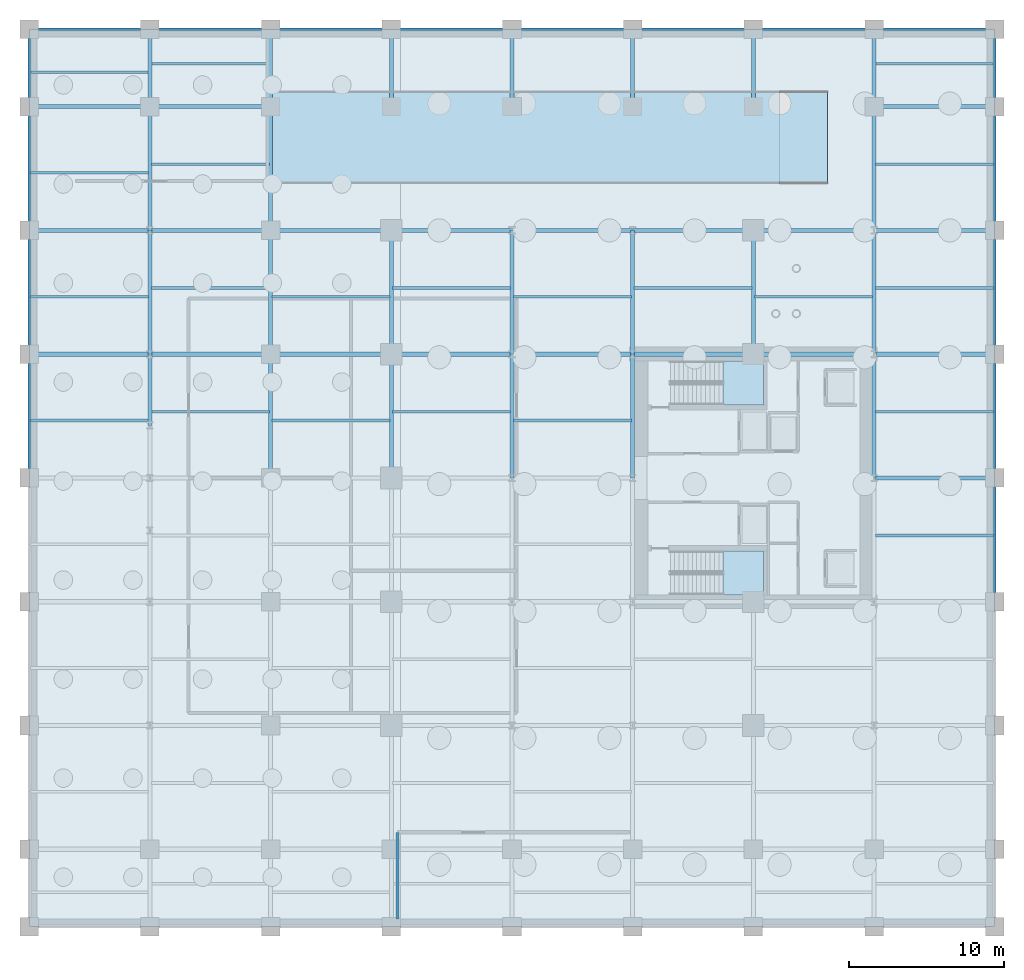
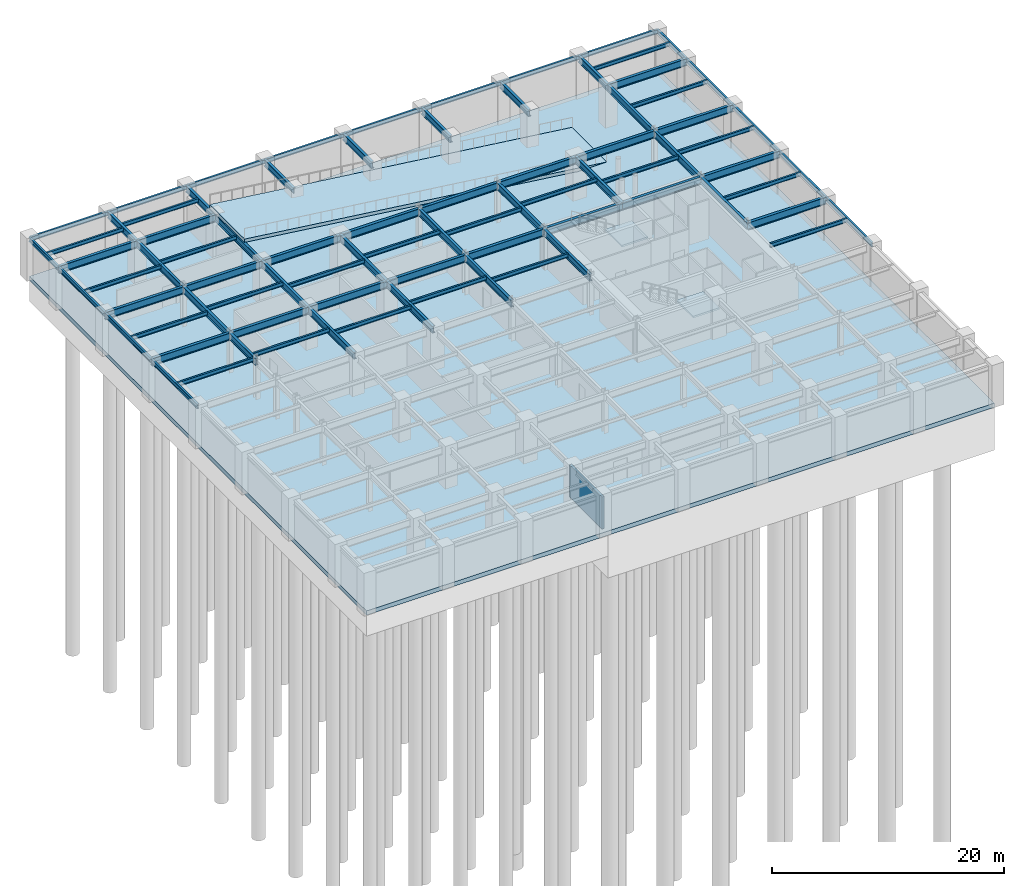
# One storey, part 4 of 10: 81 beams, 4 slabs, 1 wall, 2 elements without a shape of their own.
"""IFC4 building model written with IfcOpenShell, lengths in metres."""

from ifc_helpers import new_model, si_unit, direction, frame, frame_2d, origin, origin_2d, place, context, subcontext, project, spatial, polyline, rectangle, i_section, outline, extrude, material, layer, layer_set, material_profile, profile_set, type_object, element, aggregate, save


model = new_model("IFC4")

# Units and contexts
model_context = context("Model", 3, precision=1e-05, world=origin(), true_north=direction((0.0, 1.0)))
body_context = subcontext(model_context, "Body", "Model", "MODEL_VIEW")
ifc_project = project(units=[si_unit("LENGTHUNIT", "METRE"), si_unit("AREAUNIT", "SQUARE_METRE"), si_unit("VOLUMEUNIT", "CUBIC_METRE"), si_unit("PLANEANGLEUNIT", "RADIAN"), si_unit("MASSUNIT", "GRAM", prefix="KILO")], contexts=[model_context])

# Site, building, storey
site_placement = place(None, origin())
site = spatial("IfcSite", under=ifc_project, at=site_placement, CompositionType="ELEMENT")
building_placement = place(site_placement, origin())
building = spatial("IfcBuilding", under=site, at=building_placement, Name="Veymaron Broadcast Tower", CompositionType="ELEMENT")
storey_placement = place(building_placement, frame((0.0, 0.0, -9.0)))
storey = spatial("IfcBuildingStorey", under=building, at=storey_placement, Name="B2", CompositionType="ELEMENT", Elevation=-9.0)

# Beams
ifc_material_1 = material(Name="Structural steel ASTM A992 Gr 50", Category="steel")
ifc_material_profile_1 = material_profile(ifc_material_1, i_section(OverallWidth=0.177978515625, OverallDepth=0.406982421875, WebThickness=0.0078125, FlangeThickness=0.0126953125, at=origin_2d()), Name="W410X60")
ifc_profile_set_1 = profile_set([ifc_material_profile_1], Name="Structural steel ASTM A992 Gr 50")
beam_type_1 = type_object("IfcBeamType", Name="BM-JS1", PredefinedType="JOIST", material=ifc_profile_set_1)
for number, where, z_axis, x_axis, name in (
    (1, (0.0849609375, 27.719970703125, 3.946533203125), (1.0, 0.0, 0.0), (0.0, 1.0, 0.0), "B2 podium secondary floor joist"),
    (2, (0.0849609375, 35.719970703125, 3.946533203125), (1.0, 0.0, 0.0), (0.0, 1.0, 0.0), "B2 podium secondary floor joist"),
    (3, (0.0849609375, 43.719970703125, 3.946533203125), (1.0, 0.0, 0.0), (0.0, 1.0, 0.0), "B2 podium secondary floor joist"),
    (4, (0.0849609375, 50.219970703125, 3.946533203125), (1.0, 0.0, 0.0), (0.0, 1.0, 0.0), "B2 podium secondary floor joist"),
):
    element("IfcBeam", number, at=place(storey_placement, frame(where, z_axis=z_axis, x_axis=x_axis)), inside=storey, type_object=beam_type_1, Name=name, PredefinedType="JOIST", context=body_context, shape_type="SweptSolid", body=[
        extrude(i_section(OverallWidth=0.177978515625, OverallDepth=0.406982421875, WebThickness=0.0078125, FlangeThickness=0.0126953125, at=origin_2d()), origin(), (0.0, 0.0, 1.0), 7.630126953125),
    ])
for number, where, z_axis, x_axis, name in (
    (5, (7.885009765625, 28.280029296875, 3.946533203125), (1.0, 0.0, 0.0), (0.0, 1.0, 0.0), "B2 podium secondary floor joist"),
    (6, (7.885009765625, 36.280029296875, 3.946533203125), (1.0, 0.0, 0.0), (0.0, 1.0, 0.0), "B2 podium secondary floor joist"),
    (7, (7.885009765625, 44.280029296875, 3.946533203125), (1.0, 0.0, 0.0), (0.0, 1.0, 0.0), "B2 podium secondary floor joist"),
    (8, (7.885009765625, 50.780029296875, 3.946533203125), (1.0, 0.0, 0.0), (0.0, 1.0, 0.0), "B2 podium secondary floor joist"),
    (9, (15.68505859375, 27.719970703125, 3.946533203125), (1.0, 0.0, 0.0), (0.0, 1.0, 0.0), "B2 podium secondary floor joist"),
    (10, (15.68505859375, 35.719970703125, 3.946533203125), (1.0, 0.0, 0.0), (0.0, 1.0, 0.0), "B2 podium secondary floor joist"),
    (11, (23.485107421875, 28.280029296875, 3.946533203125), (1.0, 0.0, 0.0), (0.0, 1.0, 0.0), "B2 podium secondary floor joist"),
    (12, (23.485107421875, 36.280029296875, 3.946533203125), (1.0, 0.0, 0.0), (0.0, 1.0, 0.0), "B2 podium secondary floor joist"),
):
    element("IfcBeam", number, at=place(storey_placement, frame(where, z_axis=z_axis, x_axis=x_axis)), inside=storey, type_object=beam_type_1, Name=name, PredefinedType="JOIST", context=body_context, shape_type="SweptSolid", body=[
        extrude(i_section(OverallWidth=0.177978515625, OverallDepth=0.406982421875, WebThickness=0.0078125, FlangeThickness=0.0126953125, at=origin_2d()), origin(), (0.0, 0.0, 1.0), 7.6298828125),
    ])
for number, where, z_axis, x_axis, name in (
    (13, (31.284912109375, 27.719970703125, 3.946533203125), (1.0, 0.0, 0.0), (0.0, 1.0, 0.0), "B2 podium secondary floor joist"),
    (14, (31.284912109375, 35.719970703125, 3.946533203125), (1.0, 0.0, 0.0), (0.0, 1.0, 0.0), "B2 podium secondary floor joist"),
    (15, (39.0849609375, 36.280029296875, 3.946533203125), (1.0, 0.0, 0.0), (0.0, 1.0, 0.0), "B2 podium secondary floor joist"),
):
    element("IfcBeam", number, at=place(storey_placement, frame(where, z_axis=z_axis, x_axis=x_axis)), inside=storey, type_object=beam_type_1, Name=name, PredefinedType="JOIST", context=body_context, shape_type="SweptSolid", body=[
        extrude(i_section(OverallWidth=0.177978515625, OverallDepth=0.406982421875, WebThickness=0.0078125, FlangeThickness=0.0126953125, at=origin_2d()), origin(), (0.0, 0.0, 1.0), 7.630126953125),
    ])
for number, where, z_axis, x_axis, name in (
    (16, (46.885009765625, 35.719970703125, 3.946533203125), (1.0, 0.0, 0.0), (0.0, 1.0, 0.0), "B2 podium secondary floor joist"),
    (17, (54.68505859375, 20.280029296875, 3.946533203125), (1.0, 0.0, 0.0), (0.0, 1.0, 0.0), "B2 podium secondary floor joist"),
    (18, (54.68505859375, 28.280029296875, 3.946533203125), (1.0, 0.0, 0.0), (0.0, 1.0, 0.0), "B2 podium secondary floor joist"),
    (19, (54.68505859375, 36.280029296875, 3.946533203125), (1.0, 0.0, 0.0), (0.0, 1.0, 0.0), "B2 podium secondary floor joist"),
    (20, (54.68505859375, 44.280029296875, 3.946533203125), (1.0, 0.0, 0.0), (0.0, 1.0, 0.0), "B2 podium secondary floor joist"),
    (21, (54.68505859375, 50.780029296875, 3.946533203125), (1.0, 0.0, 0.0), (0.0, 1.0, 0.0), "B2 podium secondary floor joist"),
):
    element("IfcBeam", number, at=place(storey_placement, frame(where, z_axis=z_axis, x_axis=x_axis)), inside=storey, type_object=beam_type_1, Name=name, PredefinedType="JOIST", context=body_context, shape_type="SweptSolid", body=[
        extrude(i_section(OverallWidth=0.177978515625, OverallDepth=0.406982421875, WebThickness=0.0078125, FlangeThickness=0.0126953125, at=origin_2d()), origin(), (0.0, 0.0, 1.0), 7.6298828125),
    ])
ifc_material_profile_2 = material_profile(ifc_material_1, i_section(OverallWidth=0.26806640625, OverallDepth=0.77001953125, WebThickness=0.015625, FlangeThickness=0.025390625, at=origin_2d()), Name="W760X196")
ifc_profile_set_2 = profile_set([ifc_material_profile_2], Name="Structural steel ASTM A992 Gr 50")
beam_type_2 = type_object("IfcBeamType", Name="BM-PG1", PredefinedType="BEAM", material=ifc_profile_set_2)
beam_1_placement = place(storey_placement, frame((54.60009765625, 24.0, 3.764892578125), z_axis=(1.0, 0.0, 0.0), x_axis=(0.0, 1.0, 0.0)))
element("IfcBeam", 22, at=beam_1_placement, inside=storey, type_object=beam_type_2, Name="B2 podium primary X-girder", PredefinedType="BEAM", context=body_context, shape_type="SweptSolid", body=[
    extrude(i_section(OverallWidth=0.26806640625, OverallDepth=0.77001953125, WebThickness=0.015625, FlangeThickness=0.025390625, at=origin_2d()), origin(), (0.0, 0.0, 1.0), 7.7998046875),
])
for number, where, z_axis, x_axis, name in (
    (23, (0.0, 32.0, 3.764892578125), (1.0, 0.0, 0.0), (0.0, 1.0, 0.0), "B2 podium primary X-girder"),
    (24, (7.800048828125, 32.0, 3.764892578125), (1.0, 0.0, 0.0), (0.0, 1.0, 0.0), "B2 podium primary X-girder"),
):
    element("IfcBeam", number, at=place(storey_placement, frame(where, z_axis=z_axis, x_axis=x_axis)), inside=storey, type_object=beam_type_2, Name=name, PredefinedType="BEAM", context=body_context, shape_type="SweptSolid", body=[
        extrude(i_section(OverallWidth=0.26806640625, OverallDepth=0.77001953125, WebThickness=0.015625, FlangeThickness=0.025390625, at=origin_2d()), origin(), (0.0, 0.0, 1.0), 7.800048828125),
    ])
beam_2_placement = place(storey_placement, frame((15.60009765625, 32.0, 3.764892578125), z_axis=(1.0, 0.0, 0.0), x_axis=(0.0, 1.0, 0.0)))
element("IfcBeam", 25, at=beam_2_placement, inside=storey, type_object=beam_type_2, Name="B2 podium primary X-girder", PredefinedType="BEAM", context=body_context, shape_type="SweptSolid", body=[
    extrude(i_section(OverallWidth=0.26806640625, OverallDepth=0.77001953125, WebThickness=0.015625, FlangeThickness=0.025390625, at=origin_2d()), origin(), (0.0, 0.0, 1.0), 7.7998046875),
])
for number, where, z_axis, x_axis, name in (
    (26, (23.39990234375, 32.0, 3.764892578125), (1.0, 0.0, 0.0), (0.0, 1.0, 0.0), "B2 podium primary X-girder"),
    (27, (31.199951171875, 32.0, 3.764892578125), (1.0, 0.0, 0.0), (0.0, 1.0, 0.0), "B2 podium primary X-girder"),
    (28, (39.0, 32.0, 3.764892578125), (1.0, 0.0, 0.0), (0.0, 1.0, 0.0), "B2 podium primary X-girder"),
    (29, (46.800048828125, 32.0, 3.764892578125), (1.0, 0.0, 0.0), (0.0, 1.0, 0.0), "B2 podium primary X-girder"),
):
    element("IfcBeam", number, at=place(storey_placement, frame(where, z_axis=z_axis, x_axis=x_axis)), inside=storey, type_object=beam_type_2, Name=name, PredefinedType="BEAM", context=body_context, shape_type="SweptSolid", body=[
        extrude(i_section(OverallWidth=0.26806640625, OverallDepth=0.77001953125, WebThickness=0.015625, FlangeThickness=0.025390625, at=origin_2d()), origin(), (0.0, 0.0, 1.0), 7.800048828125),
    ])
beam_3_placement = place(storey_placement, frame((54.60009765625, 32.0, 3.764892578125), z_axis=(1.0, 0.0, 0.0), x_axis=(0.0, 1.0, 0.0)))
element("IfcBeam", 30, at=beam_3_placement, inside=storey, type_object=beam_type_2, Name="B2 podium primary X-girder", PredefinedType="BEAM", context=body_context, shape_type="SweptSolid", body=[
    extrude(i_section(OverallWidth=0.26806640625, OverallDepth=0.77001953125, WebThickness=0.015625, FlangeThickness=0.025390625, at=origin_2d()), origin(), (0.0, 0.0, 1.0), 7.7998046875),
])
for number, where, z_axis, x_axis, name in (
    (31, (0.0, 40.0, 3.764892578125), (1.0, 0.0, 0.0), (0.0, 1.0, 0.0), "B2 podium primary X-girder"),
    (32, (7.800048828125, 40.0, 3.764892578125), (1.0, 0.0, 0.0), (0.0, 1.0, 0.0), "B2 podium primary X-girder"),
):
    element("IfcBeam", number, at=place(storey_placement, frame(where, z_axis=z_axis, x_axis=x_axis)), inside=storey, type_object=beam_type_2, Name=name, PredefinedType="BEAM", context=body_context, shape_type="SweptSolid", body=[
        extrude(i_section(OverallWidth=0.26806640625, OverallDepth=0.77001953125, WebThickness=0.015625, FlangeThickness=0.025390625, at=origin_2d()), origin(), (0.0, 0.0, 1.0), 7.800048828125),
    ])
beam_4_placement = place(storey_placement, frame((15.60009765625, 40.0, 3.764892578125), z_axis=(1.0, 0.0, 0.0), x_axis=(0.0, 1.0, 0.0)))
element("IfcBeam", 33, at=beam_4_placement, inside=storey, type_object=beam_type_2, Name="B2 podium primary X-girder", PredefinedType="BEAM", context=body_context, shape_type="SweptSolid", body=[
    extrude(i_section(OverallWidth=0.26806640625, OverallDepth=0.77001953125, WebThickness=0.015625, FlangeThickness=0.025390625, at=origin_2d()), origin(), (0.0, 0.0, 1.0), 7.7998046875),
])
for number, where, z_axis, x_axis, name in (
    (34, (23.39990234375, 40.0, 3.764892578125), (1.0, 0.0, 0.0), (0.0, 1.0, 0.0), "B2 podium primary X-girder"),
    (35, (31.199951171875, 40.0, 3.764892578125), (1.0, 0.0, 0.0), (0.0, 1.0, 0.0), "B2 podium primary X-girder"),
    (36, (39.0, 40.0, 3.764892578125), (1.0, 0.0, 0.0), (0.0, 1.0, 0.0), "B2 podium primary X-girder"),
    (37, (46.800048828125, 40.0, 3.764892578125), (1.0, 0.0, 0.0), (0.0, 1.0, 0.0), "B2 podium primary X-girder"),
):
    element("IfcBeam", number, at=place(storey_placement, frame(where, z_axis=z_axis, x_axis=x_axis)), inside=storey, type_object=beam_type_2, Name=name, PredefinedType="BEAM", context=body_context, shape_type="SweptSolid", body=[
        extrude(i_section(OverallWidth=0.26806640625, OverallDepth=0.77001953125, WebThickness=0.015625, FlangeThickness=0.025390625, at=origin_2d()), origin(), (0.0, 0.0, 1.0), 7.800048828125),
    ])
beam_5_placement = place(storey_placement, frame((54.60009765625, 40.0, 3.764892578125), z_axis=(1.0, 0.0, 0.0), x_axis=(0.0, 1.0, 0.0)))
element("IfcBeam", 38, at=beam_5_placement, inside=storey, type_object=beam_type_2, Name="B2 podium primary X-girder", PredefinedType="BEAM", context=body_context, shape_type="SweptSolid", body=[
    extrude(i_section(OverallWidth=0.26806640625, OverallDepth=0.77001953125, WebThickness=0.015625, FlangeThickness=0.025390625, at=origin_2d()), origin(), (0.0, 0.0, 1.0), 7.7998046875),
])
for number, where, z_axis, x_axis, name in (
    (39, (0.0, 48.0, 3.764892578125), (1.0, 0.0, 0.0), (0.0, 1.0, 0.0), "B2 podium primary X-girder"),
    (40, (7.800048828125, 48.0, 3.764892578125), (1.0, 0.0, 0.0), (0.0, 1.0, 0.0), "B2 podium primary X-girder"),
):
    element("IfcBeam", number, at=place(storey_placement, frame(where, z_axis=z_axis, x_axis=x_axis)), inside=storey, type_object=beam_type_2, Name=name, PredefinedType="BEAM", context=body_context, shape_type="SweptSolid", body=[
        extrude(i_section(OverallWidth=0.26806640625, OverallDepth=0.77001953125, WebThickness=0.015625, FlangeThickness=0.025390625, at=origin_2d()), origin(), (0.0, 0.0, 1.0), 7.800048828125),
    ])
beam_6_placement = place(storey_placement, frame((54.60009765625, 48.0, 3.764892578125), z_axis=(1.0, 0.0, 0.0), x_axis=(0.0, 1.0, 0.0)))
element("IfcBeam", 41, at=beam_6_placement, inside=storey, type_object=beam_type_2, Name="B2 podium primary X-girder", PredefinedType="BEAM", context=body_context, shape_type="SweptSolid", body=[
    extrude(i_section(OverallWidth=0.26806640625, OverallDepth=0.77001953125, WebThickness=0.015625, FlangeThickness=0.025390625, at=origin_2d()), origin(), (0.0, 0.0, 1.0), 7.7998046875),
])
ifc_material_profile_3 = material_profile(ifc_material_1, i_section(OverallWidth=0.256103515625, OverallDepth=0.693115234375, WebThickness=0.014404296875, FlangeThickness=0.023681640625, at=origin_2d()), Name="W690X170")
ifc_profile_set_3 = profile_set([ifc_material_profile_3], Name="Structural steel ASTM A992 Gr 50")
beam_type_3 = type_object("IfcBeamType", Name="BM-PG2", PredefinedType="BEAM", material=ifc_profile_set_3)
beam_7_placement = place(storey_placement, frame((7.800048828125, 27.39990234375, 3.803466796875), z_axis=(0.0, 1.0, 0.0), x_axis=(-1.0, 0.0, 0.0)))
element("IfcBeam", 42, at=beam_7_placement, inside=storey, type_object=beam_type_3, Name="B2 podium primary Y-girder", PredefinedType="BEAM", context=body_context, shape_type="SweptSolid", body=[
    extrude(i_section(OverallWidth=0.256103515625, OverallDepth=0.693115234375, WebThickness=0.014404296875, FlangeThickness=0.023681640625, at=origin_2d()), origin(), (0.0, 0.0, 1.0), 4.60009765625),
])
for number, where, z_axis, x_axis, name in (
    (43, (7.800048828125, 32.0, 3.803466796875), (0.0, 1.0, 0.0), (-1.0, 0.0, 0.0), "B2 podium primary Y-girder"),
    (44, (7.800048828125, 40.0, 3.803466796875), (0.0, 1.0, 0.0), (-1.0, 0.0, 0.0), "B2 podium primary Y-girder"),
):
    element("IfcBeam", number, at=place(storey_placement, frame(where, z_axis=z_axis, x_axis=x_axis)), inside=storey, type_object=beam_type_3, Name=name, PredefinedType="BEAM", context=body_context, shape_type="SweptSolid", body=[
        extrude(i_section(OverallWidth=0.256103515625, OverallDepth=0.693115234375, WebThickness=0.014404296875, FlangeThickness=0.023681640625, at=origin_2d()), origin(), (0.0, 0.0, 1.0), 8.0),
    ])
beam_8_placement = place(storey_placement, frame((7.800048828125, 48.0, 3.803466796875), z_axis=(0.0, 1.0, 0.0), x_axis=(-1.0, 0.0, 0.0)))
element("IfcBeam", 45, at=beam_8_placement, inside=storey, type_object=beam_type_3, Name="B2 podium primary Y-girder", PredefinedType="BEAM", context=body_context, shape_type="SweptSolid", body=[
    extrude(i_section(OverallWidth=0.256103515625, OverallDepth=0.693115234375, WebThickness=0.014404296875, FlangeThickness=0.023681640625, at=origin_2d()), origin(), (0.0, 0.0, 1.0), 5.0),
])
for number, where, z_axis, x_axis, name in (
    (46, (15.60009765625, 24.0, 3.803466796875), (0.0, 1.0, 0.0), (-1.0, 0.0, 0.0), "B2 podium primary Y-girder"),
    (47, (15.60009765625, 32.0, 3.803466796875), (0.0, 1.0, 0.0), (-1.0, 0.0, 0.0), "B2 podium primary Y-girder"),
    (48, (15.60009765625, 40.0, 3.803466796875), (0.0, 1.0, 0.0), (-1.0, 0.0, 0.0), "B2 podium primary Y-girder"),
):
    element("IfcBeam", number, at=place(storey_placement, frame(where, z_axis=z_axis, x_axis=x_axis)), inside=storey, type_object=beam_type_3, Name=name, PredefinedType="BEAM", context=body_context, shape_type="SweptSolid", body=[
        extrude(i_section(OverallWidth=0.256103515625, OverallDepth=0.693115234375, WebThickness=0.014404296875, FlangeThickness=0.023681640625, at=origin_2d()), origin(), (0.0, 0.0, 1.0), 8.0),
    ])
beam_9_placement = place(storey_placement, frame((15.60009765625, 48.0, 3.803466796875), z_axis=(0.0, 1.0, 0.0), x_axis=(-1.0, 0.0, 0.0)))
element("IfcBeam", 49, at=beam_9_placement, inside=storey, type_object=beam_type_3, Name="B2 podium primary Y-girder", PredefinedType="BEAM", context=body_context, shape_type="SweptSolid", body=[
    extrude(i_section(OverallWidth=0.256103515625, OverallDepth=0.693115234375, WebThickness=0.014404296875, FlangeThickness=0.023681640625, at=origin_2d()), origin(), (0.0, 0.0, 1.0), 5.0),
])
for number, where, z_axis, x_axis, name in (
    (50, (23.39990234375, 24.0, 3.803466796875), (0.0, 1.0, 0.0), (-1.0, 0.0, 0.0), "B2 podium primary Y-girder"),
    (51, (23.39990234375, 32.0, 3.803466796875), (0.0, 1.0, 0.0), (-1.0, 0.0, 0.0), "B2 podium primary Y-girder"),
):
    element("IfcBeam", number, at=place(storey_placement, frame(where, z_axis=z_axis, x_axis=x_axis)), inside=storey, type_object=beam_type_3, Name=name, PredefinedType="BEAM", context=body_context, shape_type="SweptSolid", body=[
        extrude(i_section(OverallWidth=0.256103515625, OverallDepth=0.693115234375, WebThickness=0.014404296875, FlangeThickness=0.023681640625, at=origin_2d()), origin(), (0.0, 0.0, 1.0), 8.0),
    ])
beam_10_placement = place(storey_placement, frame((23.39990234375, 48.0, 3.803466796875), z_axis=(0.0, 1.0, 0.0), x_axis=(-1.0, 0.0, 0.0)))
element("IfcBeam", 52, at=beam_10_placement, inside=storey, type_object=beam_type_3, Name="B2 podium primary Y-girder", PredefinedType="BEAM", context=body_context, shape_type="SweptSolid", body=[
    extrude(i_section(OverallWidth=0.256103515625, OverallDepth=0.693115234375, WebThickness=0.014404296875, FlangeThickness=0.023681640625, at=origin_2d()), origin(), (0.0, 0.0, 1.0), 5.0),
])
for number, where, z_axis, x_axis, name in (
    (53, (31.199951171875, 24.0, 3.803466796875), (0.0, 1.0, 0.0), (-1.0, 0.0, 0.0), "B2 podium primary Y-girder"),
    (54, (31.199951171875, 32.0, 3.803466796875), (0.0, 1.0, 0.0), (-1.0, 0.0, 0.0), "B2 podium primary Y-girder"),
):
    element("IfcBeam", number, at=place(storey_placement, frame(where, z_axis=z_axis, x_axis=x_axis)), inside=storey, type_object=beam_type_3, Name=name, PredefinedType="BEAM", context=body_context, shape_type="SweptSolid", body=[
        extrude(i_section(OverallWidth=0.256103515625, OverallDepth=0.693115234375, WebThickness=0.014404296875, FlangeThickness=0.023681640625, at=origin_2d()), origin(), (0.0, 0.0, 1.0), 8.0),
    ])
beam_11_placement = place(storey_placement, frame((31.199951171875, 48.0, 3.803466796875), z_axis=(0.0, 1.0, 0.0), x_axis=(-1.0, 0.0, 0.0)))
element("IfcBeam", 55, at=beam_11_placement, inside=storey, type_object=beam_type_3, Name="B2 podium primary Y-girder", PredefinedType="BEAM", context=body_context, shape_type="SweptSolid", body=[
    extrude(i_section(OverallWidth=0.256103515625, OverallDepth=0.693115234375, WebThickness=0.014404296875, FlangeThickness=0.023681640625, at=origin_2d()), origin(), (0.0, 0.0, 1.0), 5.0),
])
for number, where, z_axis, x_axis, name in (
    (56, (39.0, 24.0, 3.803466796875), (0.0, 1.0, 0.0), (-1.0, 0.0, 0.0), "B2 podium primary Y-girder"),
    (57, (39.0, 32.0, 3.803466796875), (0.0, 1.0, 0.0), (-1.0, 0.0, 0.0), "B2 podium primary Y-girder"),
):
    element("IfcBeam", number, at=place(storey_placement, frame(where, z_axis=z_axis, x_axis=x_axis)), inside=storey, type_object=beam_type_3, Name=name, PredefinedType="BEAM", context=body_context, shape_type="SweptSolid", body=[
        extrude(i_section(OverallWidth=0.256103515625, OverallDepth=0.693115234375, WebThickness=0.014404296875, FlangeThickness=0.023681640625, at=origin_2d()), origin(), (0.0, 0.0, 1.0), 8.0),
    ])
beam_12_placement = place(storey_placement, frame((39.0, 48.0, 3.803466796875), z_axis=(0.0, 1.0, 0.0), x_axis=(-1.0, 0.0, 0.0)))
element("IfcBeam", 58, at=beam_12_placement, inside=storey, type_object=beam_type_3, Name="B2 podium primary Y-girder", PredefinedType="BEAM", context=body_context, shape_type="SweptSolid", body=[
    extrude(i_section(OverallWidth=0.256103515625, OverallDepth=0.693115234375, WebThickness=0.014404296875, FlangeThickness=0.023681640625, at=origin_2d()), origin(), (0.0, 0.0, 1.0), 5.0),
])
beam_13_placement = place(storey_placement, frame((46.800048828125, 32.0, 3.803466796875), z_axis=(0.0, 1.0, 0.0), x_axis=(-1.0, 0.0, 0.0)))
element("IfcBeam", 59, at=beam_13_placement, inside=storey, type_object=beam_type_3, Name="B2 podium primary Y-girder", PredefinedType="BEAM", context=body_context, shape_type="SweptSolid", body=[
    extrude(i_section(OverallWidth=0.256103515625, OverallDepth=0.693115234375, WebThickness=0.014404296875, FlangeThickness=0.023681640625, at=origin_2d()), origin(), (0.0, 0.0, 1.0), 8.0),
])
beam_14_placement = place(storey_placement, frame((46.800048828125, 48.0, 3.803466796875), z_axis=(0.0, 1.0, 0.0), x_axis=(-1.0, 0.0, 0.0)))
element("IfcBeam", 60, at=beam_14_placement, inside=storey, type_object=beam_type_3, Name="B2 podium primary Y-girder", PredefinedType="BEAM", context=body_context, shape_type="SweptSolid", body=[
    extrude(i_section(OverallWidth=0.256103515625, OverallDepth=0.693115234375, WebThickness=0.014404296875, FlangeThickness=0.023681640625, at=origin_2d()), origin(), (0.0, 0.0, 1.0), 5.0),
])
for number, where, z_axis, x_axis, name in (
    (61, (54.60009765625, 24.0, 3.803466796875), (0.0, 1.0, 0.0), (-1.0, 0.0, 0.0), "B2 podium primary Y-girder"),
    (62, (54.60009765625, 32.0, 3.803466796875), (0.0, 1.0, 0.0), (-1.0, 0.0, 0.0), "B2 podium primary Y-girder"),
    (63, (54.60009765625, 40.0, 3.803466796875), (0.0, 1.0, 0.0), (-1.0, 0.0, 0.0), "B2 podium primary Y-girder"),
):
    element("IfcBeam", number, at=place(storey_placement, frame(where, z_axis=z_axis, x_axis=x_axis)), inside=storey, type_object=beam_type_3, Name=name, PredefinedType="BEAM", context=body_context, shape_type="SweptSolid", body=[
        extrude(i_section(OverallWidth=0.256103515625, OverallDepth=0.693115234375, WebThickness=0.014404296875, FlangeThickness=0.023681640625, at=origin_2d()), origin(), (0.0, 0.0, 1.0), 8.0),
    ])
beam_15_placement = place(storey_placement, frame((54.60009765625, 48.0, 3.803466796875), z_axis=(0.0, 1.0, 0.0), x_axis=(-1.0, 0.0, 0.0)))
element("IfcBeam", 64, at=beam_15_placement, inside=storey, type_object=beam_type_3, Name="B2 podium primary Y-girder", PredefinedType="BEAM", context=body_context, shape_type="SweptSolid", body=[
    extrude(i_section(OverallWidth=0.256103515625, OverallDepth=0.693115234375, WebThickness=0.014404296875, FlangeThickness=0.023681640625, at=origin_2d()), origin(), (0.0, 0.0, 1.0), 5.0),
])
ifc_material_profile_4 = material_profile(ifc_material_1, i_section(OverallWidth=0.19091796875, OverallDepth=0.4599609375, WebThickness=0.010009765625, FlangeThickness=0.01611328125, at=origin_2d()), Name="W460X82")
ifc_profile_set_4 = profile_set([ifc_material_profile_4], Name="Structural steel ASTM A992 Gr 50")
beam_type_4 = type_object("IfcBeamType", Name="BM-SP1", PredefinedType="SPANDREL", material=ifc_profile_set_4)
for number, where, z_axis, x_axis, name in (
    (65, (0.0, 53.0, 3.919921875), (1.0, 0.0, 0.0), (0.0, 1.0, 0.0), "B2 podium primary X-girder"),
    (66, (7.800048828125, 53.0, 3.919921875), (1.0, 0.0, 0.0), (0.0, 1.0, 0.0), "B2 podium primary X-girder"),
):
    element("IfcBeam", number, at=place(storey_placement, frame(where, z_axis=z_axis, x_axis=x_axis)), inside=storey, type_object=beam_type_4, Name=name, PredefinedType="SPANDREL", context=body_context, shape_type="SweptSolid", body=[
        extrude(i_section(OverallWidth=0.19091796875, OverallDepth=0.4599609375, WebThickness=0.010009765625, FlangeThickness=0.01611328125, at=origin_2d()), origin(), (0.0, 0.0, 1.0), 7.800048828125),
    ])
beam_16_placement = place(storey_placement, frame((15.60009765625, 53.0, 3.919921875), z_axis=(1.0, 0.0, 0.0), x_axis=(0.0, 1.0, 0.0)))
element("IfcBeam", 67, at=beam_16_placement, inside=storey, type_object=beam_type_4, Name="B2 podium primary X-girder", PredefinedType="SPANDREL", context=body_context, shape_type="SweptSolid", body=[
    extrude(i_section(OverallWidth=0.19091796875, OverallDepth=0.4599609375, WebThickness=0.010009765625, FlangeThickness=0.01611328125, at=origin_2d()), origin(), (0.0, 0.0, 1.0), 7.7998046875),
])
for number, where, z_axis, x_axis, name in (
    (68, (23.39990234375, 53.0, 3.919921875), (1.0, 0.0, 0.0), (0.0, 1.0, 0.0), "B2 podium primary X-girder"),
    (69, (31.199951171875, 53.0, 3.919921875), (1.0, 0.0, 0.0), (0.0, 1.0, 0.0), "B2 podium primary X-girder"),
    (70, (39.0, 53.0, 3.919921875), (1.0, 0.0, 0.0), (0.0, 1.0, 0.0), "B2 podium primary X-girder"),
    (71, (46.800048828125, 53.0, 3.919921875), (1.0, 0.0, 0.0), (0.0, 1.0, 0.0), "B2 podium primary X-girder"),
):
    element("IfcBeam", number, at=place(storey_placement, frame(where, z_axis=z_axis, x_axis=x_axis)), inside=storey, type_object=beam_type_4, Name=name, PredefinedType="SPANDREL", context=body_context, shape_type="SweptSolid", body=[
        extrude(i_section(OverallWidth=0.19091796875, OverallDepth=0.4599609375, WebThickness=0.010009765625, FlangeThickness=0.01611328125, at=origin_2d()), origin(), (0.0, 0.0, 1.0), 7.800048828125),
    ])
beam_17_placement = place(storey_placement, frame((54.60009765625, 53.0, 3.919921875), z_axis=(1.0, 0.0, 0.0), x_axis=(0.0, 1.0, 0.0)))
element("IfcBeam", 72, at=beam_17_placement, inside=storey, type_object=beam_type_4, Name="B2 podium primary X-girder", PredefinedType="SPANDREL", context=body_context, shape_type="SweptSolid", body=[
    extrude(i_section(OverallWidth=0.19091796875, OverallDepth=0.4599609375, WebThickness=0.010009765625, FlangeThickness=0.01611328125, at=origin_2d()), origin(), (0.0, 0.0, 1.0), 7.7998046875),
])
for number, where, z_axis, x_axis, name in (
    (73, (0.0, 24.0, 3.919921875), (0.0, 1.0, 0.0), (-1.0, 0.0, 0.0), "B2 podium primary Y-girder"),
    (74, (0.0, 32.0, 3.919921875), (0.0, 1.0, 0.0), (-1.0, 0.0, 0.0), "B2 podium primary Y-girder"),
    (75, (0.0, 40.0, 3.919921875), (0.0, 1.0, 0.0), (-1.0, 0.0, 0.0), "B2 podium primary Y-girder"),
):
    element("IfcBeam", number, at=place(storey_placement, frame(where, z_axis=z_axis, x_axis=x_axis)), inside=storey, type_object=beam_type_4, Name=name, PredefinedType="SPANDREL", context=body_context, shape_type="SweptSolid", body=[
        extrude(i_section(OverallWidth=0.19091796875, OverallDepth=0.4599609375, WebThickness=0.010009765625, FlangeThickness=0.01611328125, at=origin_2d()), origin(), (0.0, 0.0, 1.0), 8.0),
    ])
beam_18_placement = place(storey_placement, frame((0.0, 48.0, 3.919921875), z_axis=(0.0, 1.0, 0.0), x_axis=(-1.0, 0.0, 0.0)))
element("IfcBeam", 76, at=beam_18_placement, inside=storey, type_object=beam_type_4, Name="B2 podium primary Y-girder", PredefinedType="SPANDREL", context=body_context, shape_type="SweptSolid", body=[
    extrude(i_section(OverallWidth=0.19091796875, OverallDepth=0.4599609375, WebThickness=0.010009765625, FlangeThickness=0.01611328125, at=origin_2d()), origin(), (0.0, 0.0, 1.0), 5.0),
])
for number, where, z_axis, x_axis, name in (
    (77, (62.39990234375, 16.0, 3.919921875), (0.0, 1.0, 0.0), (-1.0, 0.0, 0.0), "B2 podium primary Y-girder"),
    (78, (62.39990234375, 24.0, 3.919921875), (0.0, 1.0, 0.0), (-1.0, 0.0, 0.0), "B2 podium primary Y-girder"),
    (79, (62.39990234375, 32.0, 3.919921875), (0.0, 1.0, 0.0), (-1.0, 0.0, 0.0), "B2 podium primary Y-girder"),
    (80, (62.39990234375, 40.0, 3.919921875), (0.0, 1.0, 0.0), (-1.0, 0.0, 0.0), "B2 podium primary Y-girder"),
):
    element("IfcBeam", number, at=place(storey_placement, frame(where, z_axis=z_axis, x_axis=x_axis)), inside=storey, type_object=beam_type_4, Name=name, PredefinedType="SPANDREL", context=body_context, shape_type="SweptSolid", body=[
        extrude(i_section(OverallWidth=0.19091796875, OverallDepth=0.4599609375, WebThickness=0.010009765625, FlangeThickness=0.01611328125, at=origin_2d()), origin(), (0.0, 0.0, 1.0), 8.0),
    ])
beam_19_placement = place(storey_placement, frame((62.39990234375, 48.0, 3.919921875), z_axis=(0.0, 1.0, 0.0), x_axis=(-1.0, 0.0, 0.0)))
element("IfcBeam", 81, at=beam_19_placement, inside=storey, type_object=beam_type_4, Name="B2 podium primary Y-girder", PredefinedType="SPANDREL", context=body_context, shape_type="SweptSolid", body=[
    extrude(i_section(OverallWidth=0.19091796875, OverallDepth=0.4599609375, WebThickness=0.010009765625, FlangeThickness=0.01611328125, at=origin_2d()), origin(), (0.0, 0.0, 1.0), 5.0),
])

# Slabs
ifc_material_2 = material(Name="Concrete C50/60", Category="concrete")
ifc_layer_1 = layer(ifc_material_2, 0.449951171875)
ifc_layer_set_1 = layer_set([ifc_layer_1], Name="Concrete C50/60")
slab_type_1 = type_object("IfcSlabType", Name="SLAB-BASE-450", PredefinedType="BASESLAB", material=ifc_layer_set_1)
slab_1_placement = place(storey_placement, frame((0.0, 0.0, -0.449951171875)))
element("IfcSlab", 82, at=slab_1_placement, inside=storey, type_object=slab_type_1, Name="B2 structural floor slab", PredefinedType="BASESLAB", context=body_context, shape_type="SweptSolid", body=[
    extrude(outline(polyline([(0.0, -5.0), (62.39990234375, -5.0), (62.39990234375, 53.0), (0.0, 53.0), (0.0, -5.0)]), holes=[polyline([(48.5, 49.0), (51.60009765625, 49.0), (51.60009765625, 43.0), (48.5, 43.0), (48.5, 49.0)])]), origin(), (0.0, 0.0, 1.0), 0.449951171875),
])
ifc_material_3 = material(Name="Concrete C40/50", Category="concrete")
ifc_layer_2 = layer(ifc_material_3, 0.35009765625)
ifc_layer_set_2 = layer_set([ifc_layer_2], Name="Concrete C40/50")
slab_type_2 = type_object("IfcSlabType", Name="SLAB-RAMP-VEH", PredefinedType="FLOOR", material=ifc_layer_set_2)
slab_2_placement = place(storey_placement, frame((51.60009765625, 43.0, 0.0), z_axis=(0.124034734589, 0.0, 0.992277876714), x_axis=(-0.992277876714, 0.0, 0.124034734589)))
element("IfcSlab", 83, at=slab_2_placement, inside=storey, type_object=slab_type_2, Name="Car park structural concrete vehicle ramp slab RMP-1 (B2 to B1)", PredefinedType="FLOOR", context=body_context, shape_type="SweptSolid", body=[
    extrude(outline(polyline([(0.0, 0.0), (36.28015986734348, 0.0), (36.28015986734348, -6.000000000000002), (0.0, -6.000000000000002), (0.0, 0.0)])), origin(), (0.0, 0.0, -1.0), 0.35009765625),
])

# Stair, slab
stair_type_1 = type_object("IfcStairType", Name="STAIR-CORE-1", PredefinedType="HALF_TURN_STAIR", material=ifc_material_2)
stair_1_placement = place(storey_placement, origin())
stair_1 = element("IfcStair", 84, at=stair_1_placement, inside=storey, type_object=stair_type_1, Name="B2 North protected dog-leg exit stair ST1", PredefinedType="HALF_TURN_STAIR")
ifc_layer_3 = layer(ifc_material_2, 0.199951171875)
ifc_layer_set_3 = layer_set([ifc_layer_3], Name="Concrete C50/60")
slab_type_3 = type_object("IfcSlabType", Name="SLAB-STAIR-LDG", PredefinedType="LANDING", material=ifc_layer_set_3)
slab_3_placement = place(storey_placement, frame((0.0, 0.0, 2.050048828125)))
slab_3 = element("IfcSlab", 85, at=slab_3_placement, type_object=slab_type_3, Name="ST1 landing 1", PredefinedType="LANDING", context=body_context, shape_type="SweptSolid", body=[
    extrude(outline(polyline([(44.85009765625, 28.72998046875), (47.43994140625, 28.72998046875), (47.43994140625, 31.550048828125), (44.85009765625, 31.550048828125), (44.85009765625, 28.72998046875)])), origin(), (0.0, 0.0, 1.0), 0.199951171875),
])
aggregate(stair_1, [slab_3])

stair_type_2 = type_object("IfcStairType", Name="STAIR-CORE-2", PredefinedType="HALF_TURN_STAIR", material=ifc_material_2)
stair_2_placement = place(storey_placement, origin())
stair_2 = element("IfcStair", 86, at=stair_2_placement, inside=storey, type_object=stair_type_2, Name="B2 South protected dog-leg exit stair ST2", PredefinedType="HALF_TURN_STAIR")
slab_4_placement = place(storey_placement, frame((0.0, 0.0, 2.050048828125)))
slab_4 = element("IfcSlab", 87, at=slab_4_placement, type_object=slab_type_3, Name="ST2 landing 1", PredefinedType="LANDING", context=body_context, shape_type="SweptSolid", body=[
    extrude(outline(polyline([(44.85009765625, 16.449951171875), (47.43994140625, 16.449951171875), (47.43994140625, 19.27001953125), (44.85009765625, 19.27001953125), (44.85009765625, 16.449951171875)])), origin(), (0.0, 0.0, 1.0), 0.199951171875),
])
aggregate(stair_2, [slab_4])

# Wall
ifc_layer_4 = layer(ifc_material_3, 0.199951171875)
ifc_layer_set_4 = layer_set([ifc_layer_4], Name="Concrete C40/50")
wall_type = type_object("IfcWallType", Name="WALL-BLK-200", PredefinedType="SOLIDWALL", material=ifc_layer_set_4)
wall_placement = place(storey_placement, frame((23.800048828125, -4.5, 0.0), z_axis=(0.0, 0.0, 1.0), x_axis=(0.0, 1.0, 0.0)))
element("IfcWall", 88, at=wall_placement, inside=storey, type_object=wall_type, Name="B2 partition IW-B2-VS-W", PredefinedType="SOLIDWALL", context=body_context, shape_type="SweptSolid", body=[
    extrude(rectangle(XDim=5.60009765625, YDim=0.199951171875, at=frame_2d((2.800048828125, 0.0))), origin(), (0.0, 0.0, 1.0), 3.367919921875),
])

save(model, "model.ifc")
